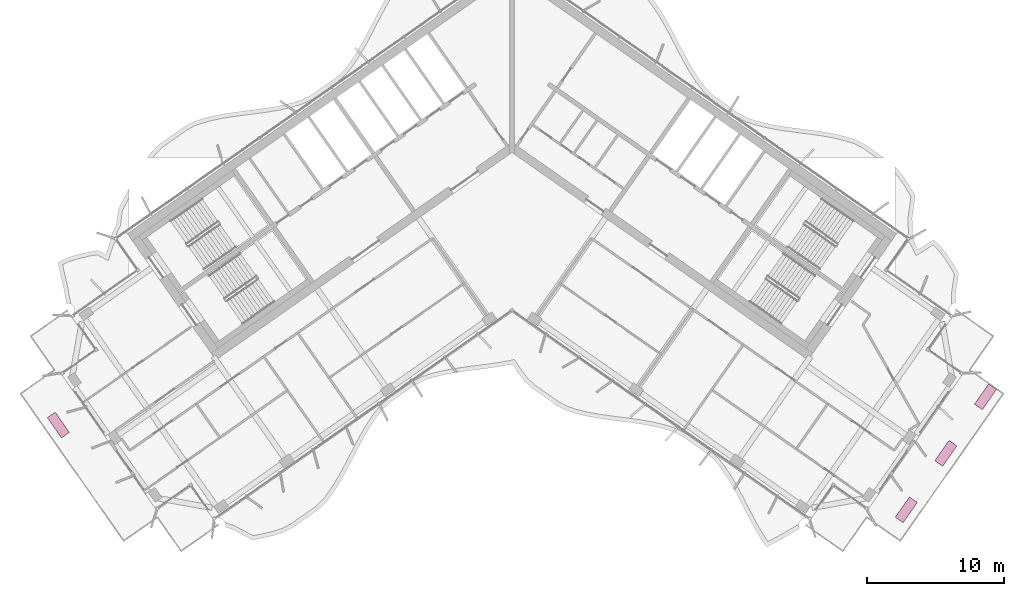
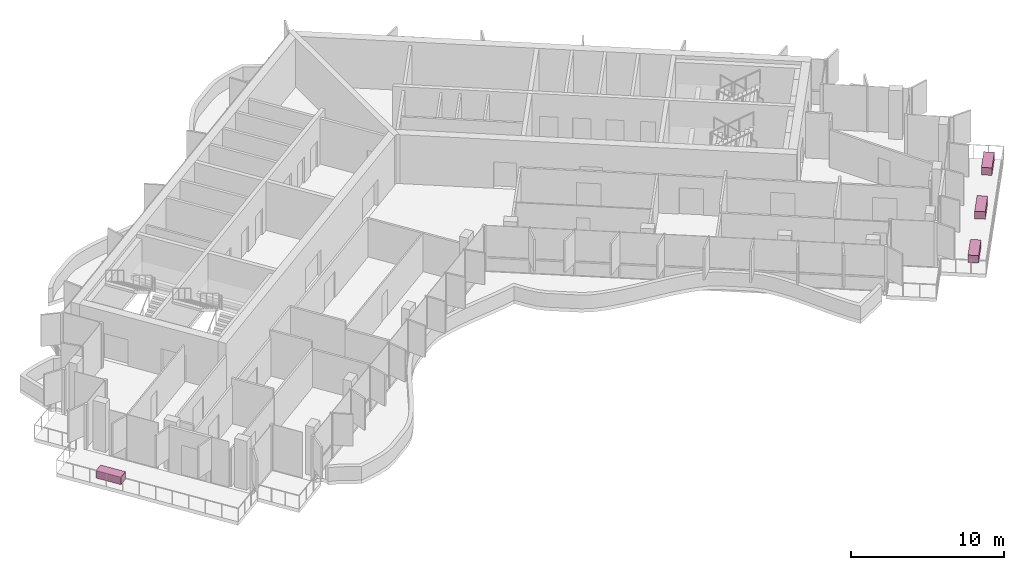
# One storey, part 21 of 21: 4 furniture elements.
"""IFC4 building model written with IfcOpenShell, lengths in metres."""

from ifc_helpers import new_model, si_unit, direction, frame, origin, origin_2d, place, context, subcontext, project, spatial, rectangle, extrude, material, type_object, element, save


model = new_model("IFC4")

# Units and contexts
model_context = context("Model", 3, precision=1e-05, world=origin(), true_north=direction((0.0, 1.0)))
body_context = subcontext(model_context, "Body", "Model", "MODEL_VIEW")
ifc_project = project(units=[si_unit("LENGTHUNIT", "METRE"), si_unit("AREAUNIT", "SQUARE_METRE"), si_unit("VOLUMEUNIT", "CUBIC_METRE"), si_unit("PLANEANGLEUNIT", "RADIAN"), si_unit("MASSUNIT", "GRAM", prefix="KILO")], contexts=[model_context])

# Site, building, storey
site_placement = place(None, origin())
site = spatial("IfcSite", under=ifc_project, at=site_placement, CompositionType="ELEMENT")
building_placement = place(site_placement, origin())
building = spatial("IfcBuilding", under=site, at=building_placement, Name="Tel Ilan Convention Tower", CompositionType="ELEMENT")
storey_placement = place(building_placement, frame((0.0, 0.0, 225.39990234375)))
storey = spatial("IfcBuildingStorey", under=building, at=storey_placement, Name="L52", CompositionType="ELEMENT", Elevation=225.39990234375)

# Furniture
ifc_material = material(Name="Concrete C30/37", Category="concrete")
furniture_type = type_object("IfcFurnitureType", Name="PLANTER 1800x700", AssemblyPlace="NOTDEFINED", PredefinedType="NOTDEFINED", material=ifc_material)
for number, where, z_axis, x_axis, name in (
    (1, (34.437744140625, -18.986328125, 0.0), (0.0, 0.0, 1.0), (-0.573576436351, -0.819152044289, 0.0), "PLANTER"),
    (2, (31.55859375, -23.0986328125, 0.0), (0.0, 0.0, 1.0), (-0.573576436351, -0.819152044289, 0.0), "PLANTER"),
    (3, (28.67919921875, -27.210693359375, 0.0), (0.0, 0.0, 1.0), (-0.573576436351, -0.819152044289, 0.0), "PLANTER"),
    (4, (-32.998291015625, -21.04248046875, 0.0), (0.0, 0.0, 1.0), (-0.573576436351, 0.819152044289, 0.0), "PLANTER"),
):
    element("IfcFurniture", number, at=place(storey_placement, frame(where, z_axis=z_axis, x_axis=x_axis)), inside=storey, type_object=furniture_type, Name=name, PredefinedType="NOTDEFINED", context=body_context, shape_type="SweptSolid", body=[
        extrude(rectangle(XDim=1.800048828125, YDim=0.699951171875, at=origin_2d()), origin(), (0.0, 0.0, 1.0), 0.60009765625),
    ])

save(model, "model.ifc")
